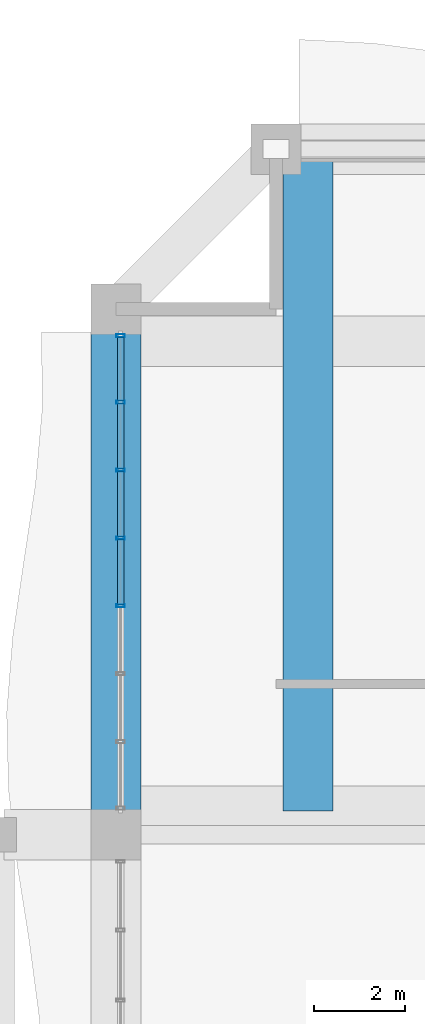
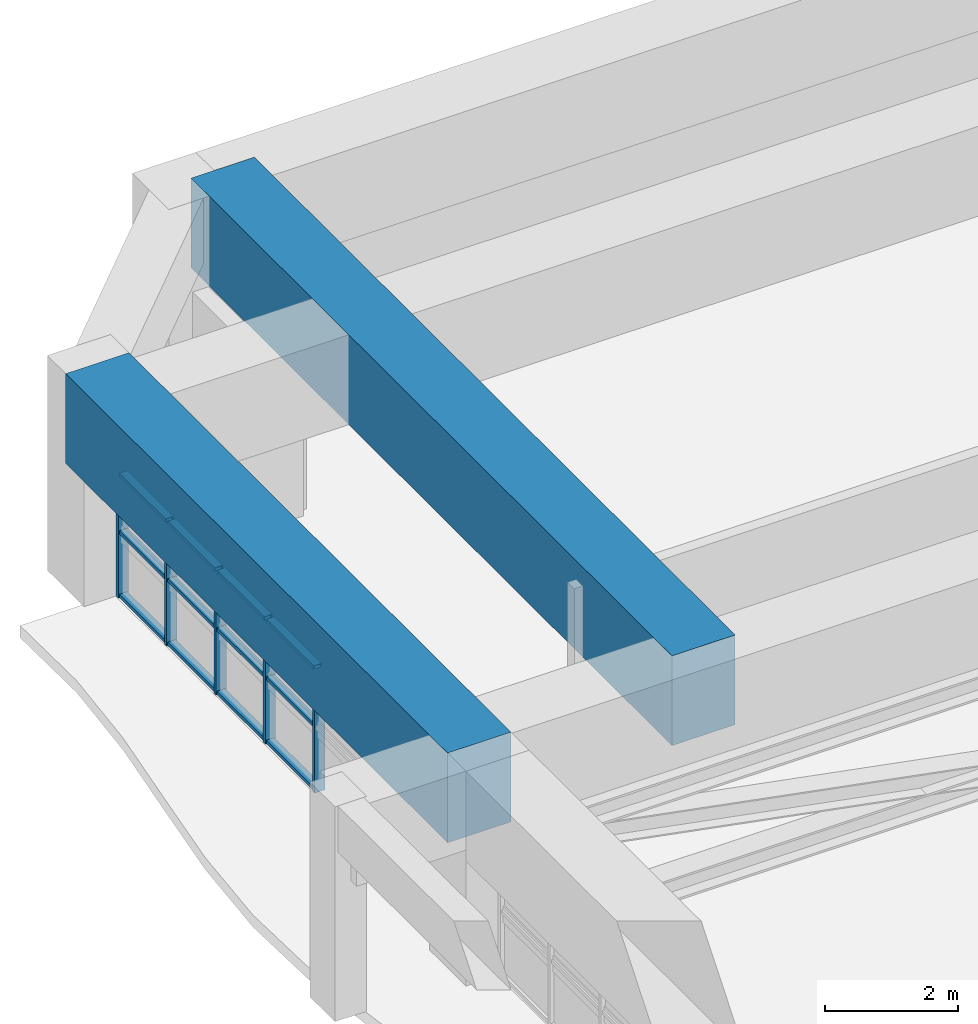
# One storey, part 21 of 35: 17 members, 2 beams, 1 element without a shape of its own.
"""IFC4 building model written with IfcOpenShell, lengths in metres."""

from ifc_helpers import new_model, si_unit, direction, frame, origin, origin_2d, place, context, subcontext, project, spatial, rectangle, hollow_rectangle, extrude, source, transform, mapped, material, layer, layer_set, material_profile, profile_set, type_object, element, aggregate, save


model = new_model("IFC4")

# Units and contexts
model_context = context("Model", 3, precision=1e-05, world=origin(), true_north=direction((0.0, 1.0)))
body_context = subcontext(model_context, "Body", "Model", "MODEL_VIEW")
ifc_project = project(units=[si_unit("LENGTHUNIT", "METRE"), si_unit("AREAUNIT", "SQUARE_METRE"), si_unit("VOLUMEUNIT", "CUBIC_METRE"), si_unit("PLANEANGLEUNIT", "RADIAN"), si_unit("MASSUNIT", "GRAM", prefix="KILO")], contexts=[model_context])

# Site, building, storey
site_placement = place(None, origin())
site = spatial("IfcSite", under=ifc_project, at=site_placement, CompositionType="ELEMENT")
building_placement = place(site_placement, origin())
building = spatial("IfcBuilding", under=site, at=building_placement, Name="Saelheon Loggia Tower", CompositionType="ELEMENT")
storey_placement = place(building_placement, frame((0.0, 0.0, 70.39990234375)))
storey = spatial("IfcBuildingStorey", under=building, at=storey_placement, Name="L22", CompositionType="ELEMENT", Elevation=70.39990234375)

# Beams
ifc_material_1 = material(Name="Concrete C50/60", Category="concrete")
ifc_material_profile_1 = material_profile(ifc_material_1, rectangle(XDim=1.10009765625, YDim=1.64990234375, at=origin_2d()), Name="RC-1100x1650")
ifc_profile_set_1 = profile_set([ifc_material_profile_1], Name="Concrete C50/60")
beam_type_1 = type_object("IfcBeamType", Name="Beam_PerimMega_RC1100x1650", PredefinedType="BEAM", material=ifc_profile_set_1)
shared_shape_1 = source(origin(), body_context, "Body", "SweptSolid", [
    extrude(rectangle(XDim=1.10009765625, YDim=1.64990234375, at=origin_2d()), origin(), (0.0, 0.0, 1.0), 11.5),
])
beam_1_placement = place(storey_placement, frame((12.0, 47.5, 3.125), z_axis=(0.0, -1.0, 0.0), x_axis=(1.0, 0.0, 0.0)))
element("IfcBeam", 1, at=beam_1_placement, inside=storey, type_object=beam_type_1, Name="L22 Perimeter Frame Girder 13", PredefinedType="BEAM", context=body_context, shape_type="MappedRepresentation", body=[
    mapped(shared_shape_1, transform((0.0, 0.0, 0.0), scale=1.0)),
])
ifc_material_profile_2 = material_profile(ifc_material_1, rectangle(XDim=1.10009765625, YDim=1.64990234375, at=origin_2d()), Name="RC-1100x1650")
ifc_profile_set_2 = profile_set([ifc_material_profile_2], Name="Concrete C50/60")
beam_type_2 = type_object("IfcBeamType", Name="Beam_MegaTransfer_RC1100x1650", PredefinedType="BEAM", material=ifc_profile_set_2)
shared_shape_2 = source(origin(), body_context, "Body", "SweptSolid", [
    extrude(rectangle(XDim=1.10009765625, YDim=1.64990234375, at=origin_2d()), origin(), (0.0, 0.0, 1.0), 14.47998046875),
])
beam_2_placement = place(storey_placement, frame((16.199951171875, 36.52001953125, 3.125), z_axis=(0.0, 1.0, 0.0), x_axis=(-1.0, 0.0, 0.0)))
element("IfcBeam", 2, at=beam_2_placement, inside=storey, type_object=beam_type_2, Name="TG-L22-NL-NW", PredefinedType="BEAM", context=body_context, shape_type="MappedRepresentation", body=[
    mapped(shared_shape_2, transform((0.0, 0.0, 0.0), scale=1.0)),
])

# Curtain wall, members
ifc_material_2 = material(Name="Anodised Aluminium Acoustic Louvre Curtain Wall", Category="aluminium")
ifc_layer = layer(ifc_material_2, 0.179931640625)
ifc_layer_set = layer_set([ifc_layer], Name="Anodised Aluminium Acoustic Louvre Curtain Wall")
curtain_wall_type = type_object("IfcCurtainWallType", Name="CW_RefugeAcoustic", PredefinedType="NOTDEFINED", material=ifc_layer_set)
curtain_wall_placement = place(storey_placement, origin())
curtain_wall = element("IfcCurtainWall", 3, at=curtain_wall_placement, inside=storey, type_object=curtain_wall_type, Name="L22 W Refuge Acoustic Curtain Wall 3", PredefinedType="NOTDEFINED")
ifc_material_3 = material(Name="Anodised Aluminium 6063-T6", Category="aluminium")
ifc_material_profile_3 = material_profile(ifc_material_3, hollow_rectangle(XDim=0.06494140625, YDim=0.179931640625, WallThickness=0.00390625, at=origin_2d()), Name="RHS-180x65x4")
ifc_profile_set_3 = profile_set([ifc_material_profile_3], Name="Anodised Aluminium 6063-T6")
member_type_1 = type_object("IfcMemberType", Name="CW_RefugeAcoustic_Mullion", PredefinedType="MULLION", material=ifc_profile_set_3)
shared_shape_3 = source(origin(), body_context, "Body", "SweptSolid", [
    extrude(hollow_rectangle(XDim=0.06494140625, YDim=0.179931640625, WallThickness=0.00390625, at=origin_2d()), origin(), (0.0, 0.0, 1.0), 2.2900390625),
])
member_1_placement = place(storey_placement, frame((12.10009765625, 41.007080078125, 0.0), z_axis=(0.0, 0.0, 1.0), x_axis=(0.0, 1.0, 0.0)))
member_1 = element("IfcMember", 4, at=member_1_placement, type_object=member_type_1, Name="CW5 mullion 4", PredefinedType="MULLION", context=body_context, shape_type="MappedRepresentation", body=[
    mapped(shared_shape_3, transform((0.0, 0.0, 0.0), scale=1.0)),
])
member_2_placement = place(storey_placement, frame((12.10009765625, 42.492919921875, 0.0), z_axis=(0.0, 0.0, 1.0), x_axis=(0.0, 1.0, 0.0)))
member_2 = element("IfcMember", 5, at=member_2_placement, type_object=member_type_1, Name="CW5 mullion 5", PredefinedType="MULLION", context=body_context, shape_type="MappedRepresentation", body=[
    mapped(shared_shape_3, transform((0.0, 0.0, 0.0), scale=1.0)),
])
member_3_placement = place(storey_placement, frame((12.10009765625, 43.978515625, 0.0), z_axis=(0.0, 0.0, 1.0), x_axis=(0.0, 1.0, 0.0)))
member_3 = element("IfcMember", 6, at=member_3_placement, type_object=member_type_1, Name="CW5 mullion 6", PredefinedType="MULLION", context=body_context, shape_type="MappedRepresentation", body=[
    mapped(shared_shape_3, transform((0.0, 0.0, 0.0), scale=1.0)),
])
member_4_placement = place(storey_placement, frame((12.10009765625, 45.46435546875, 0.0), z_axis=(0.0, 0.0, 1.0), x_axis=(0.0, 1.0, 0.0)))
member_4 = element("IfcMember", 7, at=member_4_placement, type_object=member_type_1, Name="CW5 mullion 7", PredefinedType="MULLION", context=body_context, shape_type="MappedRepresentation", body=[
    mapped(shared_shape_3, transform((0.0, 0.0, 0.0), scale=1.0)),
])
member_5_placement = place(storey_placement, frame((12.10009765625, 46.91748046875, 0.0), z_axis=(0.0, 0.0, 1.0), x_axis=(0.0, 1.0, 0.0)))
member_5 = element("IfcMember", 8, at=member_5_placement, type_object=member_type_1, Name="CW5 mullion 8", PredefinedType="MULLION", context=body_context, shape_type="MappedRepresentation", body=[
    mapped(shared_shape_3, transform((0.0, 0.0, 0.0), scale=1.0)),
])
ifc_material_profile_4 = material_profile(ifc_material_3, hollow_rectangle(XDim=0.06494140625, YDim=0.139892578125, WallThickness=0.00390625, at=origin_2d()), Name="RHS-140x65x4")
ifc_profile_set_4 = profile_set([ifc_material_profile_4], Name="Anodised Aluminium 6063-T6")
member_type_2 = type_object("IfcMemberType", Name="CW_RefugeAcoustic_Transom", PredefinedType="USERDEFINED", material=ifc_profile_set_4)
shared_shape_4 = source(origin(), body_context, "Body", "SweptSolid", [
    extrude(hollow_rectangle(XDim=0.06494140625, YDim=0.139892578125, WallThickness=0.00390625, at=origin_2d()), origin(), (0.0, 0.0, 1.0), 1.38818359375),
])
member_6_placement = place(storey_placement, frame((12.10009765625, 45.496826171875, 0.03271484375), z_axis=(0.0, 1.0, 0.0), x_axis=(0.0, 0.0, 1.0)))
member_6 = element("IfcMember", 9, at=member_6_placement, type_object=member_type_2, Name="CW5 transom 7.1", ObjectType="TRANSOM", PredefinedType="USERDEFINED", context=body_context, shape_type="MappedRepresentation", body=[
    mapped(shared_shape_4, transform((0.0, 0.0, 0.0), scale=1.0)),
])
member_7_placement = place(storey_placement, frame((12.10009765625, 45.496826171875, 1.2001953125), z_axis=(0.0, 1.0, 0.0), x_axis=(0.0, 0.0, 1.0)))
member_7 = element("IfcMember", 10, at=member_7_placement, type_object=member_type_2, Name="CW5 transom 7.2", ObjectType="TRANSOM", PredefinedType="USERDEFINED", context=body_context, shape_type="MappedRepresentation", body=[
    mapped(shared_shape_4, transform((0.0, 0.0, 0.0), scale=1.0)),
])
member_8_placement = place(storey_placement, frame((12.10009765625, 45.496826171875, 2.257568359375), z_axis=(0.0, 1.0, 0.0), x_axis=(0.0, 0.0, 1.0)))
member_8 = element("IfcMember", 11, at=member_8_placement, type_object=member_type_2, Name="CW5 transom 7.3", ObjectType="TRANSOM", PredefinedType="USERDEFINED", context=body_context, shape_type="MappedRepresentation", body=[
    mapped(shared_shape_4, transform((0.0, 0.0, 0.0), scale=1.0)),
])
shared_shape_5 = source(origin(), body_context, "Body", "SweptSolid", [
    extrude(hollow_rectangle(XDim=0.06494140625, YDim=0.139892578125, WallThickness=0.00390625, at=origin_2d()), origin(), (0.0, 0.0, 1.0), 1.4208984375),
])
member_9_placement = place(storey_placement, frame((12.10009765625, 41.03955078125, 0.03271484375), z_axis=(0.0, 1.0, 0.0), x_axis=(0.0, 0.0, 1.0)))
member_9 = element("IfcMember", 12, at=member_9_placement, type_object=member_type_2, Name="CW5 transom 4.1", ObjectType="TRANSOM", PredefinedType="USERDEFINED", context=body_context, shape_type="MappedRepresentation", body=[
    mapped(shared_shape_5, transform((0.0, 0.0, 0.0), scale=1.0)),
])
member_10_placement = place(storey_placement, frame((12.10009765625, 41.03955078125, 1.2001953125), z_axis=(0.0, 1.0, 0.0), x_axis=(0.0, 0.0, 1.0)))
member_10 = element("IfcMember", 13, at=member_10_placement, type_object=member_type_2, Name="CW5 transom 4.2", ObjectType="TRANSOM", PredefinedType="USERDEFINED", context=body_context, shape_type="MappedRepresentation", body=[
    mapped(shared_shape_5, transform((0.0, 0.0, 0.0), scale=1.0)),
])
member_11_placement = place(storey_placement, frame((12.10009765625, 41.03955078125, 2.257568359375), z_axis=(0.0, 1.0, 0.0), x_axis=(0.0, 0.0, 1.0)))
member_11 = element("IfcMember", 14, at=member_11_placement, type_object=member_type_2, Name="CW5 transom 4.3", ObjectType="TRANSOM", PredefinedType="USERDEFINED", context=body_context, shape_type="MappedRepresentation", body=[
    mapped(shared_shape_5, transform((0.0, 0.0, 0.0), scale=1.0)),
])
member_12_placement = place(storey_placement, frame((12.10009765625, 44.010986328125, 0.03271484375), z_axis=(0.0, 1.0, 0.0), x_axis=(0.0, 0.0, 1.0)))
member_12 = element("IfcMember", 15, at=member_12_placement, type_object=member_type_2, Name="CW5 transom 6.1", ObjectType="TRANSOM", PredefinedType="USERDEFINED", context=body_context, shape_type="MappedRepresentation", body=[
    mapped(shared_shape_5, transform((0.0, 0.0, 0.0), scale=1.0)),
])
member_13_placement = place(storey_placement, frame((12.10009765625, 44.010986328125, 1.2001953125), z_axis=(0.0, 1.0, 0.0), x_axis=(0.0, 0.0, 1.0)))
member_13 = element("IfcMember", 16, at=member_13_placement, type_object=member_type_2, Name="CW5 transom 6.2", ObjectType="TRANSOM", PredefinedType="USERDEFINED", context=body_context, shape_type="MappedRepresentation", body=[
    mapped(shared_shape_5, transform((0.0, 0.0, 0.0), scale=1.0)),
])
member_14_placement = place(storey_placement, frame((12.10009765625, 44.010986328125, 2.257568359375), z_axis=(0.0, 1.0, 0.0), x_axis=(0.0, 0.0, 1.0)))
member_14 = element("IfcMember", 17, at=member_14_placement, type_object=member_type_2, Name="CW5 transom 6.3", ObjectType="TRANSOM", PredefinedType="USERDEFINED", context=body_context, shape_type="MappedRepresentation", body=[
    mapped(shared_shape_5, transform((0.0, 0.0, 0.0), scale=1.0)),
])
shared_shape_6 = source(origin(), body_context, "Body", "SweptSolid", [
    extrude(hollow_rectangle(XDim=0.06494140625, YDim=0.139892578125, WallThickness=0.00390625, at=origin_2d()), origin(), (0.0, 0.0, 1.0), 1.420654296875),
])
member_15_placement = place(storey_placement, frame((12.10009765625, 42.525390625, 0.03271484375), z_axis=(0.0, 1.0, 0.0), x_axis=(0.0, 0.0, 1.0)))
member_15 = element("IfcMember", 18, at=member_15_placement, type_object=member_type_2, Name="CW5 transom 5.1", ObjectType="TRANSOM", PredefinedType="USERDEFINED", context=body_context, shape_type="MappedRepresentation", body=[
    mapped(shared_shape_6, transform((0.0, 0.0, 0.0), scale=1.0)),
])
member_16_placement = place(storey_placement, frame((12.10009765625, 42.525390625, 1.2001953125), z_axis=(0.0, 1.0, 0.0), x_axis=(0.0, 0.0, 1.0)))
member_16 = element("IfcMember", 19, at=member_16_placement, type_object=member_type_2, Name="CW5 transom 5.2", ObjectType="TRANSOM", PredefinedType="USERDEFINED", context=body_context, shape_type="MappedRepresentation", body=[
    mapped(shared_shape_6, transform((0.0, 0.0, 0.0), scale=1.0)),
])
member_17_placement = place(storey_placement, frame((12.10009765625, 42.525390625, 2.257568359375), z_axis=(0.0, 1.0, 0.0), x_axis=(0.0, 0.0, 1.0)))
member_17 = element("IfcMember", 20, at=member_17_placement, type_object=member_type_2, Name="CW5 transom 5.3", ObjectType="TRANSOM", PredefinedType="USERDEFINED", context=body_context, shape_type="MappedRepresentation", body=[
    mapped(shared_shape_6, transform((0.0, 0.0, 0.0), scale=1.0)),
])
aggregate(curtain_wall, [member_1, member_2, member_3, member_4, member_5, member_9, member_10, member_11, member_15, member_16, member_17, member_12, member_13, member_14, member_6, member_7, member_8])

save(model, "model.ifc")
